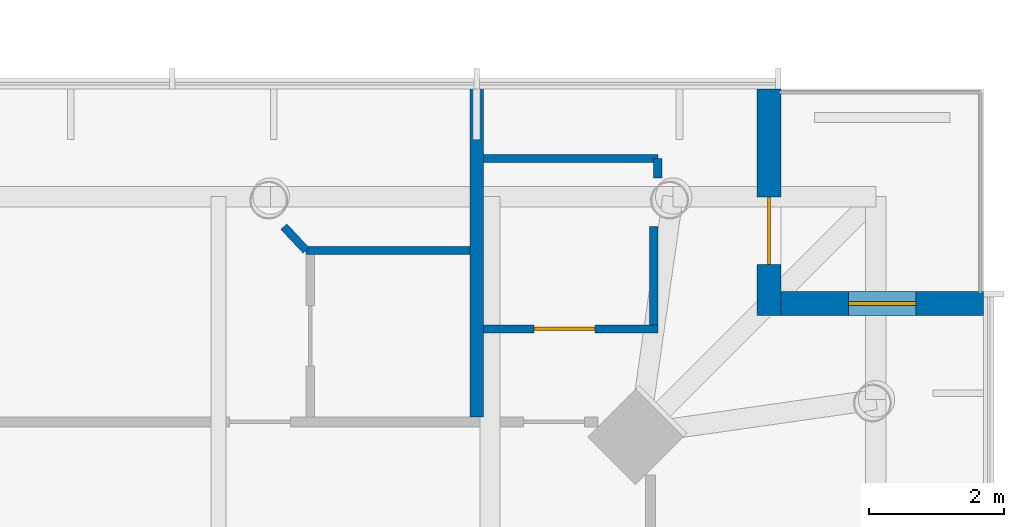
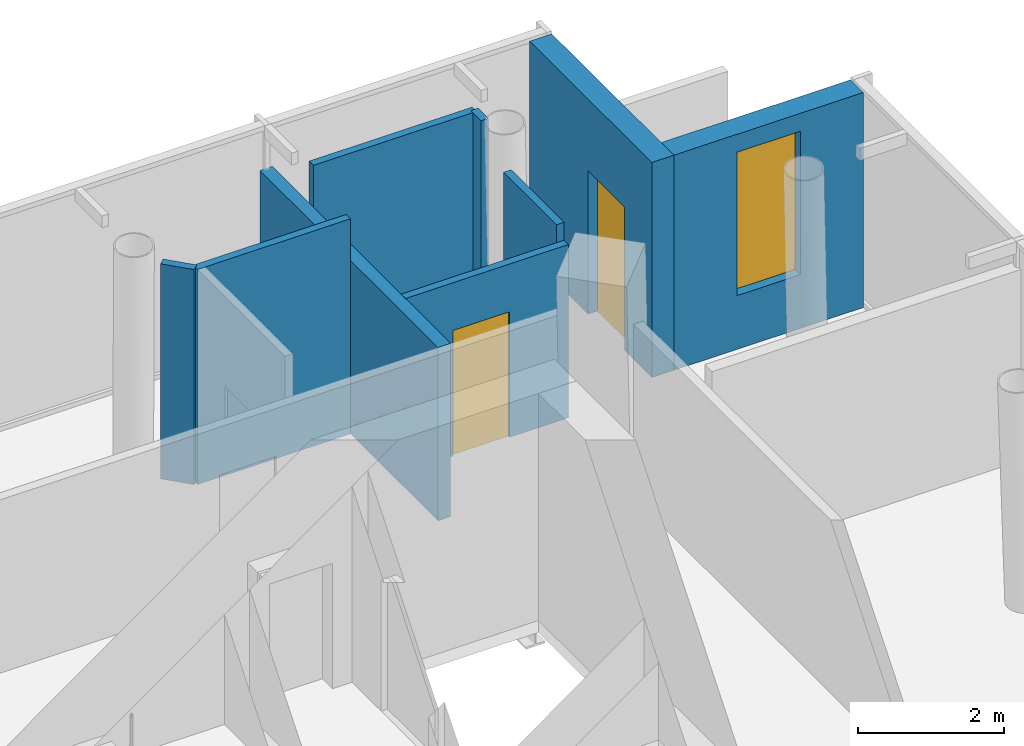
# One storey, part 16 of 19: 9 walls, 2 doors, 1 window, 3 openings.
"""IFC4 building model written with IfcOpenShell, lengths in metres."""

from ifc_helpers import new_model, si_unit, direction, frame, frame_2d, origin, place, context, subcontext, project, spatial, rectangle, extrude, material, layer, layer_set, type_object, element, fill, save


model = new_model("IFC4")

# Units and contexts
model_context = context("Model", 3, precision=1e-05, world=origin(), true_north=direction((0.0, 1.0)))
body_context = subcontext(model_context, "Body", "Model", "MODEL_VIEW")
ifc_project = project(units=[si_unit("LENGTHUNIT", "METRE"), si_unit("AREAUNIT", "SQUARE_METRE"), si_unit("VOLUMEUNIT", "CUBIC_METRE"), si_unit("PLANEANGLEUNIT", "RADIAN"), si_unit("MASSUNIT", "GRAM", prefix="KILO")], contexts=[model_context])

# Site, building, storey
site_placement = place(None, origin())
site = spatial("IfcSite", under=ifc_project, at=site_placement, CompositionType="ELEMENT")
building_placement = place(site_placement, origin())
building = spatial("IfcBuilding", under=site, at=building_placement, Name="Ostroluk Exchange", CompositionType="ELEMENT")
storey_placement = place(building_placement, frame((0.0, 0.0, 116.0)))
storey = spatial("IfcBuildingStorey", under=building, at=storey_placement, Name="L29", CompositionType="ELEMENT", Elevation=116.0)

# Wall, opening, door
ifc_material_1 = material(Name="Limestone", Category="masonry")
ifc_layer_1 = layer(ifc_material_1, 0.35009765625)
ifc_layer_set_1 = layer_set([ifc_layer_1], Name="Limestone facade wall 350")
wall_type_1 = type_object("IfcWallType", Name="Limestone facade wall 350", PredefinedType="SOLIDWALL", material=ifc_layer_set_1)
wall_1_placement = place(storey_placement, frame((130.324951171875, 62.5, 0.0), z_axis=(0.0, 0.0, 1.0), x_axis=(0.0, -1.0, 0.0)))
wall_1 = element("IfcWall", 1, at=wall_1_placement, inside=storey, type_object=wall_type_1, Name="Hotel tower NE corner wall L29 a", PredefinedType="SOLIDWALL", context=body_context, shape_type="SweptSolid", body=[
    extrude(rectangle(XDim=3.35009765625, YDim=0.35009765625, at=frame_2d((1.675048828125, 0.0))), origin(), (0.0, 0.0, 1.0), 3.60009765625),
])
opening_1_placement = place(wall_1_placement, frame((1.60009765625, 0.0, 0.0)))
opening_1 = element("IfcOpeningElement", 2, at=opening_1_placement, cuts=wall_1, Name="Opening D-B1", PredefinedType="OPENING", context=body_context, shape_type="SweptSolid", body=[
    extrude(rectangle(XDim=1.0, YDim=2.39990234375, at=frame_2d((0.5, 1.199951171875))), frame((0.0, 0.18505859375, 0.0), z_axis=(0.0, -1.0, 0.0), x_axis=(1.0, 0.0, 0.0)), (0.0, 0.0, 1.0), 0.3701171875),
])
ifc_material_2 = material(Name="Bronze framed glazed door", Category="aluminium")
door_type_1 = type_object("IfcDoorType", Name="Balcony door 1000 x 2400", OperationType="SINGLE_SWING_LEFT", PredefinedType="DOOR", material=ifc_material_2)
door_1_placement = place(opening_1_placement, origin())
door_1 = element("IfcDoor", 3, at=door_1_placement, inside=storey, type_object=door_type_1, Name="Hotel tower NE balcony door L29", OperationType="SINGLE_SWING_RIGHT", OverallHeight=2.39990234375, OverallWidth=1.0, PredefinedType="DOOR", context=body_context, shape_type="SweptSolid", body=[
    extrude(rectangle(XDim=1.0, YDim=2.39990234375, at=frame_2d((0.5, 1.199951171875))), frame((0.0, 0.02490234375, 0.0), z_axis=(0.0, -1.0, 0.0), x_axis=(1.0, 0.0, 0.0)), (0.0, 0.0, 1.0), 0.050048828125),
])
fill(opening_1, door_1)

# Wall, opening, window
wall_2_placement = place(storey_placement, frame((130.5, 59.324951171875, 0.0), z_axis=(0.0, 0.0, 1.0), x_axis=(1.0, 0.0, 0.0)))
wall_2 = element("IfcWall", 4, at=wall_2_placement, inside=storey, type_object=wall_type_1, Name="Hotel tower NE corner wall L29 b", PredefinedType="SOLIDWALL", context=body_context, shape_type="SweptSolid", body=[
    extrude(rectangle(XDim=3.0, YDim=0.35009765625, at=frame_2d((1.5, 0.0))), origin(), (0.0, 0.0, 1.0), 3.60009765625),
])
opening_2_placement = place(wall_2_placement, frame((1.0, 0.0, 0.89990234375)))
opening_2 = element("IfcOpeningElement", 5, at=opening_2_placement, cuts=wall_2, Name="Opening WN-L3", PredefinedType="OPENING", context=body_context, shape_type="SweptSolid", body=[
    extrude(rectangle(XDim=1.0, YDim=2.39990234375, at=frame_2d((0.5, 1.199951171875))), frame((0.0, 0.18505859375, 0.0), z_axis=(0.0, -1.0, 0.0), x_axis=(1.0, 0.0, 0.0)), (0.0, 0.0, 1.0), 0.3701171875),
])
ifc_material_3 = material(Name="Laminated clear glass", Category="glass")
window_type = type_object("IfcWindowType", Name="Hotel lancet window 1000 x 2400", PartitioningType="SINGLE_PANEL", PredefinedType="WINDOW", material=ifc_material_3)
window_placement = place(opening_2_placement, origin())
window = element("IfcWindow", 6, at=window_placement, inside=storey, type_object=window_type, Name="Hotel tower NE lancet window L29", OverallHeight=2.39990234375, OverallWidth=1.0, PartitioningType="SINGLE_PANEL", PredefinedType="WINDOW", context=body_context, shape_type="SweptSolid", body=[
    extrude(rectangle(XDim=1.0, YDim=2.39990234375, at=frame_2d((0.5, 1.199951171875))), frame((0.0, 0.030029296875, 0.0), z_axis=(0.0, -1.0, 0.0), x_axis=(1.0, 0.0, 0.0)), (0.0, 0.0, 1.0), 0.06005859375),
])
fill(opening_2, window)

# Wall, opening, door
ifc_material_4 = material(Name="Gypsum plasterboard partition, moisture resistant", Category="gypsum")
ifc_layer_2 = layer(ifc_material_4, 0.1201171875)
ifc_layer_set_2 = layer_set([ifc_layer_2], Name="Plasterboard en-suite wall 120")
wall_type_2 = type_object("IfcWallType", Name="Plasterboard en-suite wall 120", PredefinedType="PARTITIONING", material=ifc_layer_set_2)
wall_3_placement = place(storey_placement, frame((126.10009765625, 58.949951171875, 0.0), z_axis=(0.0, 0.0, 1.0), x_axis=(1.0, 0.0, 0.0)))
wall_3 = element("IfcWall", 7, at=wall_3_placement, inside=storey, type_object=wall_type_2, Name="En-suite wall", PredefinedType="PARTITIONING", context=body_context, shape_type="SweptSolid", body=[
    extrude(rectangle(XDim=2.579833984375, YDim=0.1201171875, at=frame_2d((1.2900390625, 0.0))), origin(), (0.0, 0.0, 1.0), 2.89990234375),
])
opening_3_placement = place(wall_3_placement, frame((0.75, 0.0, 0.0)))
opening_3 = element("IfcOpeningElement", 8, at=opening_3_placement, cuts=wall_3, Name="Opening D-02", PredefinedType="OPENING", context=body_context, shape_type="SweptSolid", body=[
    extrude(rectangle(XDim=0.89990234375, YDim=2.10009765625, at=frame_2d((0.449951171875, 1.050048828125))), frame((0.0, 0.070068359375, 0.0), z_axis=(0.0, -1.0, 0.0), x_axis=(1.0, 0.0, 0.0)), (0.0, 0.0, 1.0), 0.14013671875),
])
ifc_material_5 = material(Name="Timber", Category="wood")
door_type_2 = type_object("IfcDoorType", Name="En-suite door 900 x 2100", OperationType="SINGLE_SWING_LEFT", PredefinedType="DOOR", material=ifc_material_5)
door_2_placement = place(opening_3_placement, origin())
door_2 = element("IfcDoor", 9, at=door_2_placement, inside=storey, type_object=door_type_2, Name="En-suite door 2903", OperationType="SINGLE_SWING_LEFT", OverallHeight=2.10009765625, OverallWidth=0.89990234375, PredefinedType="DOOR", context=body_context, shape_type="SweptSolid", body=[
    extrude(rectangle(XDim=0.89990234375, YDim=2.10009765625, at=frame_2d((0.449951171875, 1.050048828125))), frame((0.0, 0.02490234375, 0.0), z_axis=(0.0, -1.0, 0.0), x_axis=(1.0, 0.0, 0.0)), (0.0, 0.0, 1.0), 0.050048828125),
])
fill(opening_3, door_2)

# Walls
wall_4_placement = place(storey_placement, frame((126.10009765625, 61.469970703125, 0.0), z_axis=(0.0, 0.0, 1.0), x_axis=(1.0, 0.0, 0.0)))
element("IfcWall", 10, at=wall_4_placement, inside=storey, type_object=wall_type_2, Name="En-suite wall", PredefinedType="PARTITIONING", context=body_context, shape_type="SweptSolid", body=[
    extrude(rectangle(XDim=2.579833984375, YDim=0.1201171875, at=frame_2d((1.2900390625, 0.0))), origin(), (0.0, 0.0, 1.0), 3.60009765625),
])
wall_5_placement = place(storey_placement, frame((128.6201171875, 59.010009765625, 0.0), z_axis=(0.0, 0.0, 1.0), x_axis=(0.0, 1.0, 0.0)))
element("IfcWall", 11, at=wall_5_placement, inside=storey, type_object=wall_type_2, Name="En-suite wall", PredefinedType="PARTITIONING", context=body_context, shape_type="SweptSolid", body=[
    extrude(rectangle(XDim=1.451904296875, YDim=0.1201171875, at=frame_2d((0.72607421875, 0.0))), origin(), (0.0, 0.0, 1.0), 3.199951171875),
])
wall_6_placement = place(storey_placement, frame((125.89990234375, 60.110107421875, 0.0), z_axis=(0.0, 0.0, 1.0), x_axis=(-1.0, 0.0, 0.0)))
element("IfcWall", 12, at=wall_6_placement, inside=storey, type_object=wall_type_2, Name="En-suite wall", PredefinedType="PARTITIONING", context=body_context, shape_type="SweptSolid", body=[
    extrude(rectangle(XDim=2.419921875, YDim=0.1201171875, at=frame_2d((1.2099609375, 0.0))), origin(), (0.0, 0.0, 1.0), 3.60009765625),
])
wall_7_placement = place(storey_placement, frame((128.679931640625, 61.469970703125, 0.0), z_axis=(0.0, 0.0, 1.0), x_axis=(0.0, -1.0, 0.0)))
element("IfcWall", 13, at=wall_7_placement, inside=storey, type_object=wall_type_2, Name="En-suite wall", PredefinedType="PARTITIONING", context=body_context, shape_type="SweptSolid", body=[
    extrude(rectangle(XDim=0.285400390625, YDim=0.1201171875, at=frame_2d((0.142578125, 0.0))), origin(), (0.0, 0.0, 1.0), 3.60009765625),
])
wall_8_placement = place(storey_placement, frame((123.47998046875, 60.110107421875, 0.0), z_axis=(0.0, 0.0, 1.0), x_axis=(-0.683957968966, 0.729521416195, 0.0)))
element("IfcWall", 14, at=wall_8_placement, inside=storey, type_object=wall_type_2, Name="En-suite wall", PredefinedType="PARTITIONING", context=body_context, shape_type="SweptSolid", body=[
    extrude(rectangle(XDim=0.482177734375, YDim=0.1201171875, at=frame_2d((0.2412109375, 0.0))), origin(), (0.0, 0.0, 1.0), 3.60009765625),
])
ifc_material_6 = material(Name="Gypsum plasterboard partition", Category="gypsum")
ifc_layer_3 = layer(ifc_material_6, 0.199951171875)
ifc_layer_set_3 = layer_set([ifc_layer_3], Name="Plasterboard party wall 200")
wall_type_3 = type_object("IfcWallType", Name="Plasterboard party wall 200", PredefinedType="PARTITIONING", material=ifc_layer_set_3)
wall_9_placement = place(storey_placement, frame((126.0, 57.64990234375, 0.0), z_axis=(0.0, 0.0, 1.0), x_axis=(0.0, 1.0, 0.0)))
element("IfcWall", 15, at=wall_9_placement, inside=storey, type_object=wall_type_3, Name="Party wall", PredefinedType="PARTITIONING", context=body_context, shape_type="SweptSolid", body=[
    extrude(rectangle(XDim=4.89013671875, YDim=0.199951171875, at=frame_2d((2.445068359375, 0.0))), origin(), (0.0, 0.0, 1.0), 2.89990234375),
])

save(model, "model.ifc")
